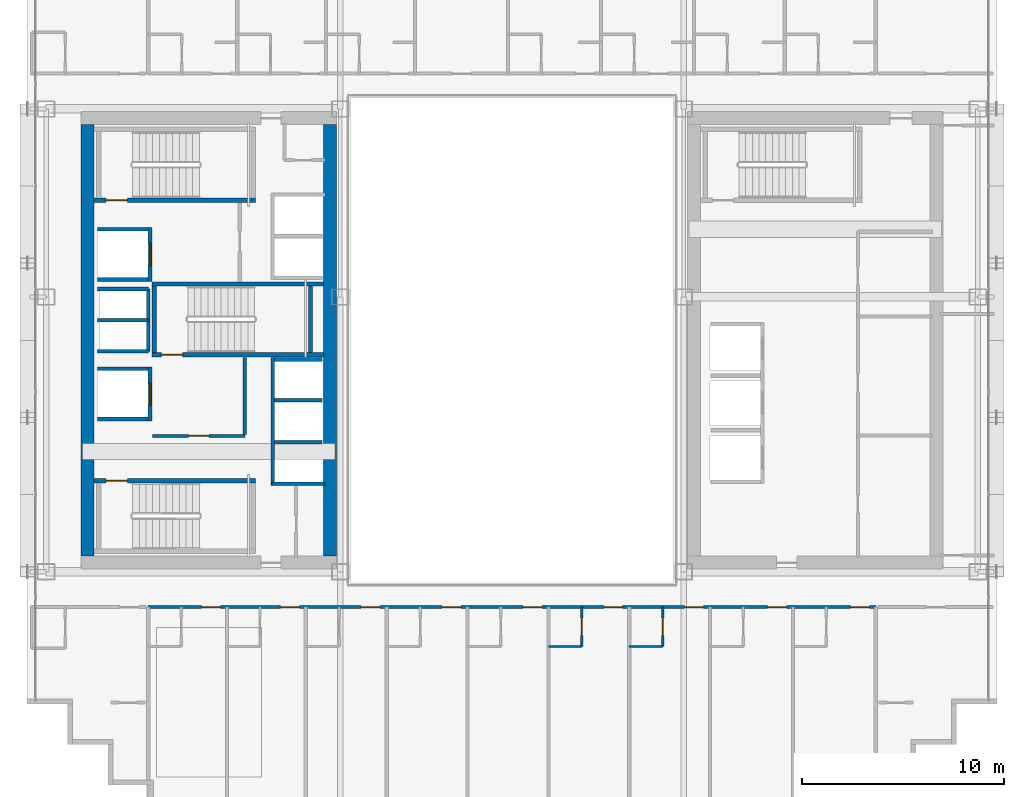
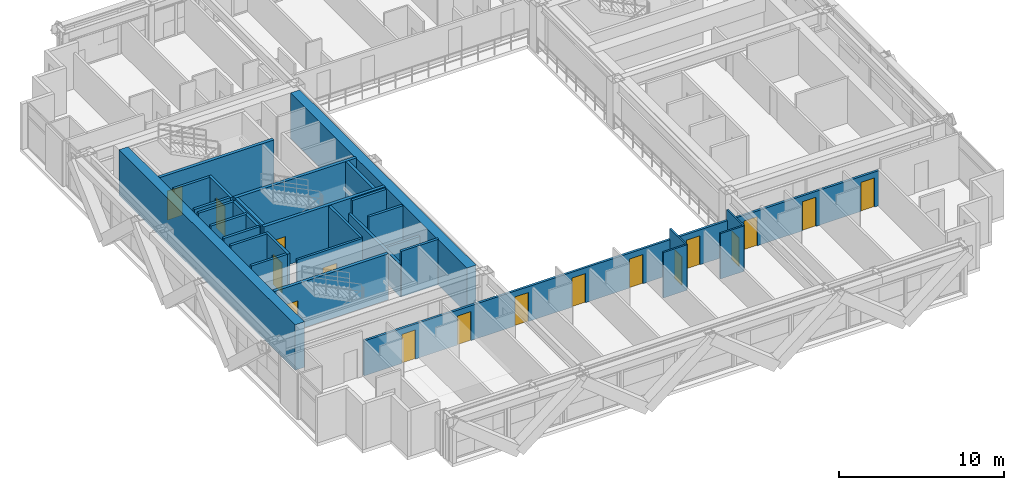
# One storey, part 28 of 36: 30 walls, 17 doors, 17 openings.
"""IFC4 building model written with IfcOpenShell, lengths in metres."""

import ifcopenshell
import ifcopenshell.guid

model = None  # the IFC model being written
_history = None  # IfcOwnerHistory: only IFC2X3 demands one
_inside = {}  # id of a spatial element -> (the spatial element, [elements in it])
_under = {}  # id of a project, library or spatial element -> (it, [spatial elements below it])
_declared = {}  # id of a project -> (the project, [libraries it declares])
_typed = {}  # id of a type object -> (the type object, [elements of that type])
_made_of = {}  # id of a material, layer set ... -> (it, [elements and type objects made of it])


def new_model(schema):
    """Start an empty IFC model of exactly this schema.

    Asked for "IFC4X3", IfcOpenShell would pick the latest addendum, in which some entities
    have other attributes; the version numbers below select the first issue.
    IFC2X3 requires an IfcOwnerHistory on every rooted entity: one is made here for all.
    """
    global model, _history
    if schema == "IFC4X3":
        model = ifcopenshell.file(schema_version=(4, 3, 0, 0))
    else:
        model = ifcopenshell.file(schema=schema)
    _inside.clear()
    _under.clear()
    _declared.clear()
    _typed.clear()
    _made_of.clear()
    _history = None
    if model.schema == "IFC2X3":
        org = make("IfcOrganization", Name="unknown")
        user = make(
            "IfcPersonAndOrganization",
            ThePerson=make("IfcPerson", FamilyName="unknown"),
            TheOrganization=org,
        )
        app = make(
            "IfcApplication",
            ApplicationDeveloper=org,
            Version="unknown",
            ApplicationFullName="unknown",
            ApplicationIdentifier="unknown",
        )
        _history = make(
            "IfcOwnerHistory",
            OwningUser=user,
            OwningApplication=app,
            ChangeAction="ADDED",
            CreationDate=0,
        )
    return model


def make(cls, **values):
    """One entity of the class cls with the attributes given. An attribute that is None is left unset."""
    return model.create_entity(
        cls, **{name: value for name, value in values.items() if value is not None}
    )


def rooted(cls, **values):
    """An entity with a GlobalId (a new one), such as an element, a storey or a relation."""
    return make(cls, GlobalId=ifcopenshell.guid.new(), OwnerHistory=_history, **values)


def si_unit(unit_type, name, prefix=None):
    """IfcSIUnit, for example si_unit("LENGTHUNIT", "METRE", prefix="MILLI")."""
    return make("IfcSIUnit", UnitType=unit_type, Prefix=prefix, Name=name)


def assignment(units):
    """IfcUnitAssignment: the units of a project."""
    return None if units is None else make("IfcUnitAssignment", Units=units)


def point(xyz):
    """IfcCartesianPoint."""
    return None if xyz is None else make("IfcCartesianPoint", Coordinates=xyz)


def direction(xyz):
    """IfcDirection."""
    return None if xyz is None else make("IfcDirection", DirectionRatios=xyz)


def frame(location, z_axis=None, x_axis=None):
    """IfcAxis2Placement3D, a coordinate frame: its origin and axes. An axis left out is left unset."""
    return make(
        "IfcAxis2Placement3D",
        Location=point(location),
        Axis=direction(z_axis),
        RefDirection=direction(x_axis),
    )


def frame_2d(location, x_axis=None):
    """IfcAxis2Placement2D, a coordinate frame in the plane: its origin and x axis."""
    return make(
        "IfcAxis2Placement2D", Location=point(location), RefDirection=direction(x_axis)
    )


def origin():
    """The frame at (0, 0, 0) with its axes left unset."""
    return frame((0.0, 0.0, 0.0))


def place(relative_to, where):
    """IfcLocalPlacement: puts the frame where relative to a parent placement (None: the world)."""
    return make(
        "IfcLocalPlacement", PlacementRelTo=relative_to, RelativePlacement=where
    )


def context(
    kind, dimensions, precision=None, world=None, true_north=None, identifier=None
):
    """IfcGeometricRepresentationContext, for example the 3D "Model" context."""
    return make(
        "IfcGeometricRepresentationContext",
        ContextIdentifier=identifier,
        ContextType=kind,
        CoordinateSpaceDimension=dimensions,
        Precision=precision,
        WorldCoordinateSystem=world,
        TrueNorth=true_north,
    )


def subcontext(parent, identifier, kind, view, scale=None):
    """IfcGeometricRepresentationSubContext, for example "Body" below "Model"."""
    return make(
        "IfcGeometricRepresentationSubContext",
        ContextIdentifier=identifier,
        ContextType=kind,
        ParentContext=parent,
        TargetScale=scale,
        TargetView=view,
    )


def project(units=None, contexts=None):
    """IfcProject with its units and contexts."""
    return rooted(
        "IfcProject",
        Name="project",
        RepresentationContexts=contexts,
        UnitsInContext=assignment(units),
    )


def spatial(cls, under=None, at=None, **own):
    """A site, building, storey or space (cls), placed at a placement, below another one or the project."""
    s = rooted(cls, ObjectPlacement=at, **own)
    if under is not None:
        _under.setdefault(under.id(), (under, []))[1].append(s)
    return s


def profile(cls, at=None, kind="AREA", **sizes):
    """A parametric profile (cls). Its sizes go by their IFC names, for example OverallWidth=200.0."""
    return make(cls, ProfileType=kind, Position=at, **sizes)


def rectangle(**sizes):
    """IfcRectangleProfileDef."""
    return profile("IfcRectangleProfileDef", **sizes)


def extrude(swept, where, along, depth):
    """IfcExtrudedAreaSolid: the profile swept, set in the frame where, extruded along a direction by depth."""
    return make(
        "IfcExtrudedAreaSolid",
        SweptArea=swept,
        Position=where,
        ExtrudedDirection=direction(along),
        Depth=depth,
    )


def shape(context_of_items, identifier, shape_type, items):
    """IfcShapeRepresentation: the items that make up one representation, for example the "Body"."""
    return make(
        "IfcShapeRepresentation",
        ContextOfItems=context_of_items,
        RepresentationIdentifier=identifier,
        RepresentationType=shape_type,
        Items=items,
    )


def source(mapping_origin, context_of_items, identifier, shape_type, items):
    """IfcRepresentationMap: a shape defined once, which mapped items show again and again."""
    return make(
        "IfcRepresentationMap",
        MappingOrigin=mapping_origin,
        MappedRepresentation=shape(context_of_items, identifier, shape_type, items),
    )


def transform(
    local_origin,
    x_axis=None,
    y_axis=None,
    z_axis=None,
    scale=None,
    scale2=None,
    scale3=None,
    uniform=True,
):
    """IfcCartesianTransformationOperator3D, or its non-uniform kind. x_axis, y_axis, z_axis: its Axis1, 2, 3."""
    if uniform:
        return make(
            "IfcCartesianTransformationOperator3D",
            Axis1=direction(x_axis),
            Axis2=direction(y_axis),
            LocalOrigin=point(local_origin),
            Scale=scale,
            Axis3=direction(z_axis),
        )
    return make(
        "IfcCartesianTransformationOperator3DnonUniform",
        Axis1=direction(x_axis),
        Axis2=direction(y_axis),
        LocalOrigin=point(local_origin),
        Scale=scale,
        Axis3=direction(z_axis),
        Scale2=scale2,
        Scale3=scale3,
    )


def mapped(mapping_source, mapping_target):
    """IfcMappedItem: shows the shape of a source again, moved by a transform."""
    return make(
        "IfcMappedItem", MappingSource=mapping_source, MappingTarget=mapping_target
    )


def material(Name=None, Category=None):
    """IfcMaterial."""
    return make("IfcMaterial", Name=Name, Category=Category)


def layer(
    of_material, thickness, ventilated=None, Name=None, Category=None, Priority=None
):
    """IfcMaterialLayer: one layer of a wall or slab, of a material (None: an air gap)."""
    return make(
        "IfcMaterialLayer",
        Material=of_material,
        LayerThickness=thickness,
        IsVentilated=ventilated,
        Name=Name,
        Category=Category,
        Priority=Priority,
    )


def layer_set(layers, Name=None):
    """IfcMaterialLayerSet."""
    return make("IfcMaterialLayerSet", MaterialLayers=layers, LayerSetName=Name)


def made_of(thing, what):
    """Note that an element or type object is made of a material, layer set ...; save() writes the relation."""
    if what is not None:
        _made_of.setdefault(what.id(), (what, []))[1].append(thing)
    return thing


def type_object(cls, material=None, **own):
    """A type object (cls), such as IfcWallType, which elements share."""
    return made_of(rooted(cls, **own), material)


def element(
    cls,
    number,
    at=None,
    inside=None,
    cuts=None,
    type_object=None,
    material=None,
    context=None,
    identifier="Body",
    shape_type=None,
    held_by="IfcProductDefinitionShape",
    body=None,
    shapes=None,
    **own,
):
    """One element of the class cls, such as IfcWall. Its Tag is "e" and its number.

    at: its placement. inside: the storey or other place that contains it. cuts: it is an
    opening in that element (IfcRelVoidsElement). A single representation is given by context,
    identifier, shape_type and body (its items); several are given by shapes. held_by: the class
    of the entity that holds the representations. save() writes the other relations.
    """
    e = rooted(cls, Tag="e%d" % number, ObjectPlacement=at, **own)
    if body is not None:
        shapes = [shape(context, identifier, shape_type, body)]
    if shapes is not None:
        e.Representation = make(held_by, Representations=shapes)
    if inside is not None:
        _inside.setdefault(inside.id(), (inside, []))[1].append(e)
    if cuts is not None:
        rooted(
            "IfcRelVoidsElement", RelatingBuildingElement=cuts, RelatedOpeningElement=e
        )
    if type_object is not None:
        _typed.setdefault(type_object.id(), (type_object, []))[1].append(e)
    return made_of(e, material)


def fill(opening, filler):
    """IfcRelFillsElement: the door or window that sits in an opening."""
    return rooted(
        "IfcRelFillsElement",
        RelatingOpeningElement=opening,
        RelatedBuildingElement=filler,
    )


def aggregate(whole, parts):
    """IfcRelAggregates: a whole, such as a stair, and the parts it consists of."""
    return rooted("IfcRelAggregates", RelatingObject=whole, RelatedObjects=parts)


def save(model, path):
    """Write the relations noted so far, then the file.

    IfcRelAggregates (storeys below a building ...), IfcRelContainedInSpatialStructure (elements
    in a storey), IfcRelDefinesByType, IfcRelAssociatesMaterial and IfcRelDeclares: one each for
    every whole, place, type object, material and project.
    """
    for whole, parts in _under.values():
        aggregate(whole, parts)
    for where, things in _inside.values():
        rooted(
            "IfcRelContainedInSpatialStructure",
            RelatedElements=things,
            RelatingStructure=where,
        )
    for kind, things in _typed.values():
        rooted("IfcRelDefinesByType", RelatedObjects=things, RelatingType=kind)
    for what, things in _made_of.values():
        rooted("IfcRelAssociatesMaterial", RelatedObjects=things, RelatingMaterial=what)
    for by, libraries in _declared.values():
        rooted("IfcRelDeclares", RelatingContext=by, RelatedDefinitions=libraries)
    model.write(path)


model = new_model("IFC4")

# Units and contexts
model_context = context("Model", 3, precision=1e-05, world=origin(), true_north=direction((0.0, 1.0)))
body_context = subcontext(model_context, "Body", "Model", "MODEL_VIEW")
ifc_project = project(units=[si_unit("LENGTHUNIT", "METRE"), si_unit("AREAUNIT", "SQUARE_METRE"), si_unit("VOLUMEUNIT", "CUBIC_METRE"), si_unit("PLANEANGLEUNIT", "RADIAN"), si_unit("MASSUNIT", "GRAM", prefix="KILO")], contexts=[model_context])

# Site, building, storey
site_placement = place(None, origin())
site = spatial("IfcSite", under=ifc_project, at=site_placement, CompositionType="ELEMENT")
building_placement = place(site_placement, origin())
building = spatial("IfcBuilding", under=site, at=building_placement, Name="Ocotamira Hotel", CompositionType="ELEMENT")
storey_placement = place(building_placement, frame((0.0, 0.0, 136.800048828125)))
storey = spatial("IfcBuildingStorey", under=building, at=storey_placement, Name="L34", CompositionType="ELEMENT", Elevation=136.800048828125)

# Walls
ifc_material_1 = material(Name="Concrete C60/75", Category="concrete")
ifc_layer_1 = layer(ifc_material_1, 0.64990234375)
ifc_layer_set_1 = layer_set([ifc_layer_1], Name="Concrete C60/75")
wall_type_1 = type_object("IfcWallType", Name="WL-CORE-650", PredefinedType="SHEAR", material=ifc_layer_set_1)
for number, where, z_axis, x_axis, name in (
    (1, (11.0, 15.324951171875, 0.0), (0.0, 0.0, 1.0), (0.0, 1.0, 0.0), "L34 Shear Core Wall WCORE-W"),
    (2, (23.0, 15.324951171875, 0.0), (0.0, 0.0, 1.0), (0.0, 1.0, 0.0), "L34 Shear Core Wall WCORE-E"),
):
    element("IfcWall", number, at=place(storey_placement, frame(where, z_axis=z_axis, x_axis=x_axis)), inside=storey, type_object=wall_type_1, Name=name, PredefinedType="SHEAR", context=body_context, shape_type="SweptSolid", body=[
        extrude(rectangle(XDim=21.35009765625, YDim=0.64990234375, at=frame_2d((10.675048828125, 0.0))), origin(), (0.0, 0.0, 1.0), 3.35986328125),
    ])

# Wall, opening, door
ifc_material_2 = material(Name="Acoustic double-layer fire gypsum board partition", Category="gypsum")
ifc_layer_2 = layer(ifc_material_2, 0.159912109375)
ifc_layer_set_2 = layer_set([ifc_layer_2], Name="Acoustic double-layer fire gypsum board partition")
wall_type_2 = type_object("IfcWallType", Name="WL-FIRE-160", PredefinedType="PARTITIONING", material=ifc_layer_set_2)
wall_1_placement = place(storey_placement, frame((14.199951171875, 21.27001953125, 0.0), z_axis=(0.0, 0.0, 1.0), x_axis=(1.0, 0.0, 0.0)))
wall_1 = element("IfcWall", 3, at=wall_1_placement, inside=storey, type_object=wall_type_2, Name="L34 Interior Wall PW-L34-FSAE1-S", PredefinedType="PARTITIONING", context=body_context, shape_type="SweptSolid", body=[
    extrude(rectangle(XDim=4.580078125, YDim=0.159912109375, at=frame_2d((2.2900390625, 0.0))), origin(), (0.0, 0.0, 1.0), 3.35986328125),
])
opening_1_placement = place(wall_1_placement, frame((1.800048828125, 0.0, 0.0)))
opening_1 = element("IfcOpeningElement", 4, at=opening_1_placement, cuts=wall_1, Name="Opening D-FR2", PredefinedType="OPENING", context=body_context, shape_type="SweptSolid", body=[
    extrude(rectangle(XDim=1.0, YDim=2.14990234375, at=frame_2d((0.5, 1.074951171875))), frame((0.0, 0.08984375, 0.0), z_axis=(0.0, -1.0, 0.0), x_axis=(1.0, 0.0, 0.0)), (0.0, 0.0, 1.0), 0.179931640625),
])
ifc_material_3 = material(Name="Fire-rated acoustic timber-veneer door", Category="wood")
door_type_1 = type_object("IfcDoorType", Name="DR-FIRE-1000", OperationType="NOTDEFINED", PredefinedType="DOOR", material=ifc_material_3)
shared_shape_1 = source(origin(), body_context, "Body", "SweptSolid", [
    extrude(rectangle(XDim=1.0, YDim=2.14990234375, at=frame_2d((0.5, 1.074951171875))), frame((0.0, 0.02490234375, 0.0), z_axis=(0.0, -1.0, 0.0), x_axis=(1.0, 0.0, 0.0)), (0.0, 0.0, 1.0), 0.050048828125),
])
door_1_placement = place(opening_1_placement, origin())
door_1 = element("IfcDoor", 5, at=door_1_placement, inside=storey, type_object=door_type_1, Name="L34 Door ID-L34-FSAE1-D [ID-L34-FSAE1-D]", OperationType="SINGLE_SWING_LEFT", OverallHeight=2.14990234375, OverallWidth=1.0, PredefinedType="DOOR", context=body_context, shape_type="MappedRepresentation", body=[
    mapped(shared_shape_1, transform((0.0, 0.0, 0.0), scale=1.0)),
])
fill(opening_1, door_1)

# Wall
wall_2_placement = place(storey_placement, frame((18.780029296875, 21.35009765625, 0.0), z_axis=(0.0, 0.0, 1.0), x_axis=(0.0, 1.0, 0.0)))
element("IfcWall", 6, at=wall_2_placement, inside=storey, type_object=wall_type_2, Name="L34 Interior Wall PW-L34-FSAE1-E", PredefinedType="PARTITIONING", context=body_context, shape_type="SweptSolid", body=[
    extrude(rectangle(XDim=3.809814453125, YDim=0.159912109375, at=frame_2d((1.90478515625, 0.0))), origin(), (0.0, 0.0, 1.0), 3.35986328125),
])

# Wall, openings, doors
wall_3_placement = place(storey_placement, frame((14.0, 12.800048828125, 0.0), z_axis=(0.0, 0.0, 1.0), x_axis=(1.0, 0.0, 0.0)))
wall_3 = element("IfcWall", 7, at=wall_3_placement, inside=storey, type_object=wall_type_2, Name="L34 Interior Wall PW-L34-Z2DS-CORRW", PredefinedType="PARTITIONING", context=body_context, shape_type="SweptSolid", body=[
    extrude(rectangle(XDim=36.0, YDim=0.159912109375, at=frame_2d((18.0, 0.0))), origin(), (0.0, 0.0, 1.0), 2.5810546875),
])
opening_2_placement = place(wall_3_placement, frame((2.639892578125, 0.0, 0.0)))
opening_2 = element("IfcOpeningElement", 8, at=opening_2_placement, cuts=wall_3, Name="Opening D-GR1", PredefinedType="OPENING", context=body_context, shape_type="SweptSolid", body=[
    extrude(rectangle(XDim=0.93994140625, YDim=2.14990234375, at=frame_2d((0.469970703125, 1.074951171875))), frame((0.0, 0.08984375, 0.0), z_axis=(0.0, -1.0, 0.0), x_axis=(1.0, 0.0, 0.0)), (0.0, 0.0, 1.0), 0.179931640625),
])
opening_3_placement = place(wall_3_placement, frame((6.5400390625, 0.0, 0.0)))
opening_3 = element("IfcOpeningElement", 9, at=opening_3_placement, cuts=wall_3, Name="Opening D-GR1", PredefinedType="OPENING", context=body_context, shape_type="SweptSolid", body=[
    extrude(rectangle(XDim=0.93994140625, YDim=2.14990234375, at=frame_2d((0.469970703125, 1.074951171875))), frame((0.0, 0.08984375, 0.0), z_axis=(0.0, -1.0, 0.0), x_axis=(1.0, 0.0, 0.0)), (0.0, 0.0, 1.0), 0.179931640625),
])
opening_4_placement = place(wall_3_placement, frame((10.5400390625, 0.0, 0.0)))
opening_4 = element("IfcOpeningElement", 10, at=opening_4_placement, cuts=wall_3, Name="Opening D-GR1", PredefinedType="OPENING", context=body_context, shape_type="SweptSolid", body=[
    extrude(rectangle(XDim=0.93994140625, YDim=2.14990234375, at=frame_2d((0.469970703125, 1.074951171875))), frame((0.0, 0.08984375, 0.0), z_axis=(0.0, -1.0, 0.0), x_axis=(1.0, 0.0, 0.0)), (0.0, 0.0, 1.0), 0.179931640625),
])
opening_5_placement = place(wall_3_placement, frame((14.5400390625, 0.0, 0.0)))
opening_5 = element("IfcOpeningElement", 11, at=opening_5_placement, cuts=wall_3, Name="Opening D-GR1", PredefinedType="OPENING", context=body_context, shape_type="SweptSolid", body=[
    extrude(rectangle(XDim=0.93994140625, YDim=2.14990234375, at=frame_2d((0.469970703125, 1.074951171875))), frame((0.0, 0.08984375, 0.0), z_axis=(0.0, -1.0, 0.0), x_axis=(1.0, 0.0, 0.0)), (0.0, 0.0, 1.0), 0.179931640625),
])
opening_6_placement = place(wall_3_placement, frame((18.5400390625, 0.0, 0.0)))
opening_6 = element("IfcOpeningElement", 12, at=opening_6_placement, cuts=wall_3, Name="Opening D-GR1", PredefinedType="OPENING", context=body_context, shape_type="SweptSolid", body=[
    extrude(rectangle(XDim=0.93994140625, YDim=2.14990234375, at=frame_2d((0.469970703125, 1.074951171875))), frame((0.0, 0.08984375, 0.0), z_axis=(0.0, -1.0, 0.0), x_axis=(1.0, 0.0, 0.0)), (0.0, 0.0, 1.0), 0.179931640625),
])
opening_7_placement = place(wall_3_placement, frame((22.5400390625, 0.0, 0.0)))
opening_7 = element("IfcOpeningElement", 13, at=opening_7_placement, cuts=wall_3, Name="Opening D-GR1", PredefinedType="OPENING", context=body_context, shape_type="SweptSolid", body=[
    extrude(rectangle(XDim=0.93994140625, YDim=2.14990234375, at=frame_2d((0.469970703125, 1.074951171875))), frame((0.0, 0.08984375, 0.0), z_axis=(0.0, -1.0, 0.0), x_axis=(1.0, 0.0, 0.0)), (0.0, 0.0, 1.0), 0.179931640625),
])
opening_8_placement = place(wall_3_placement, frame((26.5400390625, 0.0, 0.0)))
opening_8 = element("IfcOpeningElement", 14, at=opening_8_placement, cuts=wall_3, Name="Opening D-GR1", PredefinedType="OPENING", context=body_context, shape_type="SweptSolid", body=[
    extrude(rectangle(XDim=0.93994140625, YDim=2.14990234375, at=frame_2d((0.469970703125, 1.074951171875))), frame((0.0, 0.08984375, 0.0), z_axis=(0.0, -1.0, 0.0), x_axis=(1.0, 0.0, 0.0)), (0.0, 0.0, 1.0), 0.179931640625),
])
opening_9_placement = place(wall_3_placement, frame((30.639892578125, 0.0, 0.0)))
opening_9 = element("IfcOpeningElement", 15, at=opening_9_placement, cuts=wall_3, Name="Opening D-GR1", PredefinedType="OPENING", context=body_context, shape_type="SweptSolid", body=[
    extrude(rectangle(XDim=0.93994140625, YDim=2.14990234375, at=frame_2d((0.469970703125, 1.074951171875))), frame((0.0, 0.08984375, 0.0), z_axis=(0.0, -1.0, 0.0), x_axis=(1.0, 0.0, 0.0)), (0.0, 0.0, 1.0), 0.179931640625),
])
opening_10_placement = place(wall_3_placement, frame((34.739990234375, 0.0, 0.0)))
opening_10 = element("IfcOpeningElement", 16, at=opening_10_placement, cuts=wall_3, Name="Opening D-GR1", PredefinedType="OPENING", context=body_context, shape_type="SweptSolid", body=[
    extrude(rectangle(XDim=0.93994140625, YDim=2.14990234375, at=frame_2d((0.469970703125, 1.074951171875))), frame((0.0, 0.08984375, 0.0), z_axis=(0.0, -1.0, 0.0), x_axis=(1.0, 0.0, 0.0)), (0.0, 0.0, 1.0), 0.179931640625),
])
ifc_material_4 = material(Name="Solid-core walnut suite entrance fire door", Category="wood")
door_type_2 = type_object("IfcDoorType", Name="DR-GUEST-940", OperationType="NOTDEFINED", PredefinedType="DOOR", material=ifc_material_4)
shared_shape_2 = source(origin(), body_context, "Body", "SweptSolid", [
    extrude(rectangle(XDim=0.93994140625, YDim=2.14990234375, at=frame_2d((0.469970703125, 1.074951171875))), frame((0.0, 0.02490234375, 0.0), z_axis=(0.0, -1.0, 0.0), x_axis=(1.0, 0.0, 0.0)), (0.0, 0.0, 1.0), 0.050048828125),
])
door_2_placement = place(opening_2_placement, origin())
door_2 = element("IfcDoor", 17, at=door_2_placement, inside=storey, type_object=door_type_2, Name="L34 Door ID-L34-Z2DS-RMD1 [ID-L34-Z2DS-RMD1]", OperationType="SINGLE_SWING_LEFT", OverallHeight=2.14990234375, OverallWidth=0.93994140625, PredefinedType="DOOR", context=body_context, shape_type="MappedRepresentation", body=[
    mapped(shared_shape_2, transform((0.0, 0.0, 0.0), scale=1.0)),
])
fill(opening_2, door_2)
door_3_placement = place(opening_3_placement, origin())
door_3 = element("IfcDoor", 18, at=door_3_placement, inside=storey, type_object=door_type_2, Name="L34 Door ID-L34-Z2DS-RMD2 [ID-L34-Z2DS-RMD2]", OperationType="SINGLE_SWING_RIGHT", OverallHeight=2.14990234375, OverallWidth=0.93994140625, PredefinedType="DOOR", context=body_context, shape_type="MappedRepresentation", body=[
    mapped(shared_shape_2, transform((0.0, 0.0, 0.0), scale=1.0)),
])
fill(opening_3, door_3)
door_4_placement = place(opening_4_placement, origin())
door_4 = element("IfcDoor", 19, at=door_4_placement, inside=storey, type_object=door_type_2, Name="L34 Door ID-L34-Z2DS-RMD3 [ID-L34-Z2DS-RMD3]", OperationType="SINGLE_SWING_LEFT", OverallHeight=2.14990234375, OverallWidth=0.93994140625, PredefinedType="DOOR", context=body_context, shape_type="MappedRepresentation", body=[
    mapped(shared_shape_2, transform((0.0, 0.0, 0.0), scale=1.0)),
])
fill(opening_4, door_4)
door_5_placement = place(opening_5_placement, origin())
door_5 = element("IfcDoor", 20, at=door_5_placement, inside=storey, type_object=door_type_2, Name="L34 Door ID-L34-Z2DS-RMD4 [ID-L34-Z2DS-RMD4]", OperationType="SINGLE_SWING_RIGHT", OverallHeight=2.14990234375, OverallWidth=0.93994140625, PredefinedType="DOOR", context=body_context, shape_type="MappedRepresentation", body=[
    mapped(shared_shape_2, transform((0.0, 0.0, 0.0), scale=1.0)),
])
fill(opening_5, door_5)
door_6_placement = place(opening_6_placement, origin())
door_6 = element("IfcDoor", 21, at=door_6_placement, inside=storey, type_object=door_type_2, Name="L34 Door ID-L34-Z2DS-RMD5 [ID-L34-Z2DS-RMD5]", OperationType="SINGLE_SWING_LEFT", OverallHeight=2.14990234375, OverallWidth=0.93994140625, PredefinedType="DOOR", context=body_context, shape_type="MappedRepresentation", body=[
    mapped(shared_shape_2, transform((0.0, 0.0, 0.0), scale=1.0)),
])
fill(opening_6, door_6)
door_7_placement = place(opening_7_placement, origin())
door_7 = element("IfcDoor", 22, at=door_7_placement, inside=storey, type_object=door_type_2, Name="L34 Door ID-L34-Z2DS-RMD6 [ID-L34-Z2DS-RMD6]", OperationType="SINGLE_SWING_RIGHT", OverallHeight=2.14990234375, OverallWidth=0.93994140625, PredefinedType="DOOR", context=body_context, shape_type="MappedRepresentation", body=[
    mapped(shared_shape_2, transform((0.0, 0.0, 0.0), scale=1.0)),
])
fill(opening_7, door_7)
door_8_placement = place(opening_8_placement, origin())
door_8 = element("IfcDoor", 23, at=door_8_placement, inside=storey, type_object=door_type_2, Name="L34 Door ID-L34-Z2DS-RMD7 [ID-L34-Z2DS-RMD7]", OperationType="SINGLE_SWING_LEFT", OverallHeight=2.14990234375, OverallWidth=0.93994140625, PredefinedType="DOOR", context=body_context, shape_type="MappedRepresentation", body=[
    mapped(shared_shape_2, transform((0.0, 0.0, 0.0), scale=1.0)),
])
fill(opening_8, door_8)
door_9_placement = place(opening_9_placement, origin())
door_9 = element("IfcDoor", 24, at=door_9_placement, inside=storey, type_object=door_type_2, Name="L34 Door ID-L34-Z2DS-RMD8 [ID-L34-Z2DS-RMD8]", OperationType="SINGLE_SWING_RIGHT", OverallHeight=2.14990234375, OverallWidth=0.93994140625, PredefinedType="DOOR", context=body_context, shape_type="MappedRepresentation", body=[
    mapped(shared_shape_2, transform((0.0, 0.0, 0.0), scale=1.0)),
])
fill(opening_9, door_9)
door_10_placement = place(opening_10_placement, origin())
door_10 = element("IfcDoor", 25, at=door_10_placement, inside=storey, type_object=door_type_2, Name="L34 Door ID-L34-Z2DS-RMD9 [ID-L34-Z2DS-RMD9]", OperationType="SINGLE_SWING_LEFT", OverallHeight=2.14990234375, OverallWidth=0.93994140625, PredefinedType="DOOR", context=body_context, shape_type="MappedRepresentation", body=[
    mapped(shared_shape_2, transform((0.0, 0.0, 0.0), scale=1.0)),
])
fill(opening_10, door_10)

# Wall, opening, door
ifc_material_5 = material(Name="Moisture-resistant en-suite tile and gypsum partition", Category="gypsum")
ifc_layer_3 = layer(ifc_material_5, 0.1201171875)
ifc_layer_set_3 = layer_set([ifc_layer_3], Name="Moisture-resistant en-suite tile and gypsum partition")
wall_type_3 = type_object("IfcWallType", Name="WL-PART-120", PredefinedType="PARTITIONING", material=ifc_layer_set_3)
wall_4_placement = place(storey_placement, frame((35.449951171875, 10.85009765625, 0.0), z_axis=(0.0, 0.0, 1.0), x_axis=(0.0, 1.0, 0.0)))
wall_4 = element("IfcWall", 26, at=wall_4_placement, inside=storey, type_object=wall_type_3, Name="L34 Interior Wall PW-L34-Z2DS-BAE6", PredefinedType="PARTITIONING", context=body_context, shape_type="SweptSolid", body=[
    extrude(rectangle(XDim=1.949951171875, YDim=0.1201171875, at=frame_2d((0.97509765625, 0.0))), origin(), (0.0, 0.0, 1.0), 3.35986328125),
])
opening_11_placement = place(wall_4_placement, frame((0.544921875, 0.0, 0.0)))
opening_11 = element("IfcOpeningElement", 27, at=opening_11_placement, cuts=wall_4, Name="Opening D-BA1", PredefinedType="OPENING", context=body_context, shape_type="SweptSolid", body=[
    extrude(rectangle(XDim=0.860107421875, YDim=2.10009765625, at=frame_2d((0.43017578125, 1.050048828125))), frame((0.0, 0.070068359375, 0.0), z_axis=(0.0, -1.0, 0.0), x_axis=(1.0, 0.0, 0.0)), (0.0, 0.0, 1.0), 0.14013671875),
])
ifc_material_6 = material(Name="Moisture-sealed en-suite timber door", Category="wood")
door_type_3 = type_object("IfcDoorType", Name="DR-BATH-860", OperationType="NOTDEFINED", PredefinedType="DOOR", material=ifc_material_6)
shared_shape_3 = source(origin(), body_context, "Body", "SweptSolid", [
    extrude(rectangle(XDim=0.860107421875, YDim=2.10009765625, at=frame_2d((0.43017578125, 1.050048828125))), frame((0.0, 0.02490234375, 0.0), z_axis=(0.0, -1.0, 0.0), x_axis=(1.0, 0.0, 0.0)), (0.0, 0.0, 1.0), 0.050048828125),
])
door_11_placement = place(opening_11_placement, origin())
door_11 = element("IfcDoor", 28, at=door_11_placement, inside=storey, type_object=door_type_3, Name="L34 Door ID-L34-Z2DS-BAD6 [ID-L34-Z2DS-BAD6]", OperationType="SINGLE_SWING_LEFT", OverallHeight=2.10009765625, OverallWidth=0.860107421875, PredefinedType="DOOR", context=body_context, shape_type="MappedRepresentation", body=[
    mapped(shared_shape_3, transform((0.0, 0.0, 0.0), scale=1.0)),
])
fill(opening_11, door_11)

# Wall
wall_5_placement = place(storey_placement, frame((33.800048828125, 10.85009765625, 0.0), z_axis=(0.0, 0.0, 1.0), x_axis=(1.0, 0.0, 0.0)))
element("IfcWall", 29, at=wall_5_placement, inside=storey, type_object=wall_type_3, Name="L34 Interior Wall PW-L34-Z2DS-BAS6", PredefinedType="PARTITIONING", context=body_context, shape_type="SweptSolid", body=[
    extrude(rectangle(XDim=1.64990234375, YDim=0.1201171875, at=frame_2d((0.824951171875, 0.0))), origin(), (0.0, 0.0, 1.0), 3.35986328125),
])

# Wall, opening, door
wall_6_placement = place(storey_placement, frame((39.449951171875, 10.85009765625, 0.0), z_axis=(0.0, 0.0, 1.0), x_axis=(0.0, 1.0, 0.0)))
wall_6 = element("IfcWall", 30, at=wall_6_placement, inside=storey, type_object=wall_type_3, Name="L34 Interior Wall PW-L34-Z2DS-BAE7", PredefinedType="PARTITIONING", context=body_context, shape_type="SweptSolid", body=[
    extrude(rectangle(XDim=1.949951171875, YDim=0.1201171875, at=frame_2d((0.97509765625, 0.0))), origin(), (0.0, 0.0, 1.0), 3.35986328125),
])
opening_12_placement = place(wall_6_placement, frame((0.544921875, 0.0, 0.0)))
opening_12 = element("IfcOpeningElement", 31, at=opening_12_placement, cuts=wall_6, Name="Opening D-BA1", PredefinedType="OPENING", context=body_context, shape_type="SweptSolid", body=[
    extrude(rectangle(XDim=0.860107421875, YDim=2.10009765625, at=frame_2d((0.43017578125, 1.050048828125))), frame((0.0, 0.070068359375, 0.0), z_axis=(0.0, -1.0, 0.0), x_axis=(1.0, 0.0, 0.0)), (0.0, 0.0, 1.0), 0.14013671875),
])
door_12_placement = place(opening_12_placement, origin())
door_12 = element("IfcDoor", 32, at=door_12_placement, inside=storey, type_object=door_type_3, Name="L34 Door ID-L34-Z2DS-BAD7 [ID-L34-Z2DS-BAD7]", OperationType="SINGLE_SWING_RIGHT", OverallHeight=2.10009765625, OverallWidth=0.860107421875, PredefinedType="DOOR", context=body_context, shape_type="MappedRepresentation", body=[
    mapped(shared_shape_3, transform((0.0, 0.0, 0.0), scale=1.0)),
])
fill(opening_12, door_12)

# Walls
wall_7_placement = place(storey_placement, frame((37.800048828125, 10.85009765625, 0.0), z_axis=(0.0, 0.0, 1.0), x_axis=(1.0, 0.0, 0.0)))
element("IfcWall", 33, at=wall_7_placement, inside=storey, type_object=wall_type_3, Name="L34 Interior Wall PW-L34-Z2DS-BAS7", PredefinedType="PARTITIONING", context=body_context, shape_type="SweptSolid", body=[
    extrude(rectangle(XDim=1.64990234375, YDim=0.1201171875, at=frame_2d((0.824951171875, 0.0))), origin(), (0.0, 0.0, 1.0), 3.35986328125),
])
ifc_material_7 = material(Name="Fire-rated gypsum shaftliner board assembly", Category="gypsum")
ifc_layer_4 = layer(ifc_material_7, 0.179931640625)
ifc_layer_set_4 = layer_set([ifc_layer_4], Name="Fire-rated gypsum shaftliner board assembly")
wall_type_4 = type_object("IfcWallType", Name="WL-SHAFT-180", PredefinedType="SOLIDWALL", material=ifc_layer_set_4)
wall_8_placement = place(storey_placement, frame((20.159912109375, 18.820068359375, 0.0), z_axis=(0.0, 0.0, 1.0), x_axis=(0.0, 1.0, 0.0)))
element("IfcWall", 34, at=wall_8_placement, inside=storey, type_object=wall_type_4, Name="L34 Interior Wall PW-L34-LFW-BANK-high-F", PredefinedType="SOLIDWALL", context=body_context, shape_type="SweptSolid", body=[
    extrude(rectangle(XDim=6.31982421875, YDim=0.179931640625, at=frame_2d((3.159912109375, 0.0))), origin(), (0.0, 0.0, 1.0), 2.35986328125),
])
wall_9_placement = place(storey_placement, frame((20.1201171875, 18.909912109375, 0.0), z_axis=(0.0, 0.0, 1.0), x_axis=(1.0, 0.0, 0.0)))
element("IfcWall", 35, at=wall_9_placement, inside=storey, type_object=wall_type_4, Name="L34 Interior Wall PW-L34-LFW-BANK-high-S", PredefinedType="SOLIDWALL", context=body_context, shape_type="SweptSolid", body=[
    extrude(rectangle(XDim=2.6298828125, YDim=0.179931640625, at=frame_2d((1.31494140625, 0.0))), origin(), (0.0, 0.0, 1.0), 3.35986328125),
])
wall_10_placement = place(storey_placement, frame((20.25, 25.050048828125, 0.0), z_axis=(0.0, 0.0, 1.0), x_axis=(1.0, 0.0, 0.0)))
element("IfcWall", 36, at=wall_10_placement, inside=storey, type_object=wall_type_4, Name="L34 Interior Wall PW-L34-LFW-BANK-high-N", PredefinedType="SOLIDWALL", context=body_context, shape_type="SweptSolid", body=[
    extrude(rectangle(XDim=2.360107421875, YDim=0.179931640625, at=frame_2d((1.18017578125, 0.0))), origin(), (0.0, 0.0, 1.0), 3.35986328125),
])
wall_11_placement = place(storey_placement, frame((20.25, 20.965087890625, 0.0), z_axis=(0.0, 0.0, 1.0), x_axis=(1.0, 0.0, 0.0)))
element("IfcWall", 37, at=wall_11_placement, inside=storey, type_object=wall_type_4, Name="L34 Interior Wall PW-L34-LFW-DIV-LF-P7", PredefinedType="SOLIDWALL", context=body_context, shape_type="SweptSolid", body=[
    extrude(rectangle(XDim=2.360107421875, YDim=0.179931640625, at=frame_2d((1.18017578125, 0.0))), origin(), (0.0, 0.0, 1.0), 2.35986328125),
])
wall_12_placement = place(storey_placement, frame((20.25, 23.044921875, 0.0), z_axis=(0.0, 0.0, 1.0), x_axis=(1.0, 0.0, 0.0)))
element("IfcWall", 38, at=wall_12_placement, inside=storey, type_object=wall_type_4, Name="L34 Interior Wall PW-L34-LFW-DIV-LF-P8", PredefinedType="SOLIDWALL", context=body_context, shape_type="SweptSolid", body=[
    extrude(rectangle(XDim=2.360107421875, YDim=0.179931640625, at=frame_2d((1.18017578125, 0.0))), origin(), (0.0, 0.0, 1.0), 3.35986328125),
])
for number, where, z_axis, x_axis, name in (
    (39, (11.5, 22.110107421875, 0.0), (0.0, 0.0, 1.0), (1.0, 0.0, 0.0), "L34 Interior Wall PW-L34-LFW-LF-FSAE1-S"),
    (40, (11.5, 24.590087890625, 0.0), (0.0, 0.0, 1.0), (1.0, 0.0, 0.0), "L34 Interior Wall PW-L34-LFW-LF-FSAE1-N"),
):
    element("IfcWall", number, at=place(storey_placement, frame(where, z_axis=z_axis, x_axis=x_axis)), inside=storey, type_object=wall_type_4, Name=name, PredefinedType="SOLIDWALL", context=body_context, shape_type="SweptSolid", body=[
        extrude(rectangle(XDim=2.5, YDim=0.179931640625, at=frame_2d((1.25, 0.0))), origin(), (0.0, 0.0, 1.0), 3.35986328125),
    ])

# Wall, opening, door
wall_13_placement = place(storey_placement, frame((14.090087890625, 22.02001953125, 0.0), z_axis=(0.0, 0.0, 1.0), x_axis=(0.0, 1.0, 0.0)))
wall_13 = element("IfcWall", 41, at=wall_13_placement, inside=storey, type_object=wall_type_4, Name="L34 Interior Wall PW-L34-LFW-LF-FSAE1-E", PredefinedType="SOLIDWALL", context=body_context, shape_type="SweptSolid", body=[
    extrude(rectangle(XDim=2.659912109375, YDim=0.179931640625, at=frame_2d((1.330078125, 0.0))), origin(), (0.0, 0.0, 1.0), 3.35986328125),
])
opening_13_placement = place(wall_13_placement, frame((0.780029296875, 0.0, 0.0)))
opening_13 = element("IfcOpeningElement", 42, at=opening_13_placement, cuts=wall_13, Name="Opening LD-LF-FSAE1", PredefinedType="OPENING", context=body_context, shape_type="SweptSolid", body=[
    extrude(rectangle(XDim=1.10009765625, YDim=2.199951171875, at=frame_2d((0.550048828125, 1.10009765625))), frame((0.0, 0.10009765625, 0.0), z_axis=(0.0, -1.0, 0.0), x_axis=(1.0, 0.0, 0.0)), (0.0, 0.0, 1.0), 0.199951171875),
])
ifc_material_8 = material(Name="Brushed pale-metal stainless elevator landing door", Category="steel")
door_type_4 = type_object("IfcDoorType", Name="DR-LIFT-1100", OperationType="NOTDEFINED", PredefinedType="DOOR", material=ifc_material_8)
shared_shape_4 = source(origin(), body_context, "Body", "SweptSolid", [
    extrude(rectangle(XDim=1.10009765625, YDim=2.199951171875, at=frame_2d((0.550048828125, 1.10009765625))), frame((0.0, 0.02490234375, 0.0), z_axis=(0.0, -1.0, 0.0), x_axis=(1.0, 0.0, 0.0)), (0.0, 0.0, 1.0), 0.050048828125),
])
door_13_placement = place(opening_13_placement, origin())
door_13 = element("IfcDoor", 43, at=door_13_placement, inside=storey, type_object=door_type_4, Name="L34 Landing Door LD-LF-FSAE1 [ID-L34-LD-LF-FSAE1]", OperationType="DOUBLE_DOOR_SLIDING", OverallHeight=2.199951171875, OverallWidth=1.10009765625, PredefinedType="DOOR", context=body_context, shape_type="MappedRepresentation", body=[
    mapped(shared_shape_4, transform((0.0, 0.0, 0.0), scale=1.0)),
])
fill(opening_13, door_13)

# Walls
for number, where, z_axis, x_axis, name in (
    (44, (11.5, 29.010009765625, 0.0), (0.0, 0.0, 1.0), (1.0, 0.0, 0.0), "L34 Interior Wall PW-L34-LFW-LF-FSAE2-S"),
    (45, (11.5, 31.489990234375, 0.0), (0.0, 0.0, 1.0), (1.0, 0.0, 0.0), "L34 Interior Wall PW-L34-LFW-LF-FSAE2-N"),
):
    element("IfcWall", number, at=place(storey_placement, frame(where, z_axis=z_axis, x_axis=x_axis)), inside=storey, type_object=wall_type_4, Name=name, PredefinedType="SOLIDWALL", context=body_context, shape_type="SweptSolid", body=[
        extrude(rectangle(XDim=2.5, YDim=0.179931640625, at=frame_2d((1.25, 0.0))), origin(), (0.0, 0.0, 1.0), 3.35986328125),
    ])

# Wall, opening, door
wall_14_placement = place(storey_placement, frame((14.090087890625, 28.919921875, 0.0), z_axis=(0.0, 0.0, 1.0), x_axis=(0.0, 1.0, 0.0)))
wall_14 = element("IfcWall", 46, at=wall_14_placement, inside=storey, type_object=wall_type_4, Name="L34 Interior Wall PW-L34-LFW-LF-FSAE2-E", PredefinedType="SOLIDWALL", context=body_context, shape_type="SweptSolid", body=[
    extrude(rectangle(XDim=2.66015625, YDim=0.179931640625, at=frame_2d((1.330078125, 0.0))), origin(), (0.0, 0.0, 1.0), 3.35986328125),
])
opening_14_placement = place(wall_14_placement, frame((0.780029296875, 0.0, 0.0)))
opening_14 = element("IfcOpeningElement", 47, at=opening_14_placement, cuts=wall_14, Name="Opening LD-LF-FSAE2", PredefinedType="OPENING", context=body_context, shape_type="SweptSolid", body=[
    extrude(rectangle(XDim=1.10009765625, YDim=2.199951171875, at=frame_2d((0.550048828125, 1.10009765625))), frame((0.0, 0.10009765625, 0.0), z_axis=(0.0, -1.0, 0.0), x_axis=(1.0, 0.0, 0.0)), (0.0, 0.0, 1.0), 0.199951171875),
])
door_14_placement = place(opening_14_placement, origin())
door_14 = element("IfcDoor", 48, at=door_14_placement, inside=storey, type_object=door_type_4, Name="L34 Landing Door LD-LF-FSAE2 [ID-L34-LD-LF-FSAE2]", OperationType="DOUBLE_DOOR_SLIDING", OverallHeight=2.199951171875, OverallWidth=1.10009765625, PredefinedType="DOOR", context=body_context, shape_type="MappedRepresentation", body=[
    mapped(shared_shape_4, transform((0.0, 0.0, 0.0), scale=1.0)),
])
fill(opening_14, door_14)

# Walls
for number, where, z_axis, x_axis, name in (
    (49, (11.5, 25.4599609375, 0.0), (0.0, 0.0, 1.0), (1.0, 0.0, 0.0), "L34 Interior Wall PW-L34-RSW-S"),
    (50, (11.5, 27.0, 0.0), (0.0, 0.0, 1.0), (1.0, 0.0, 0.0), "L34 Interior Wall PW-L34-RSW-MID"),
    (51, (11.5, 28.5400390625, 0.0), (0.0, 0.0, 1.0), (1.0, 0.0, 0.0), "L34 Interior Wall PW-L34-RSW-N"),
):
    element("IfcWall", number, at=place(storey_placement, frame(where, z_axis=z_axis, x_axis=x_axis)), inside=storey, type_object=wall_type_4, Name=name, PredefinedType="SOLIDWALL", context=body_context, shape_type="SweptSolid", body=[
        extrude(rectangle(XDim=2.510009765625, YDim=0.179931640625, at=frame_2d((1.2548828125, 0.0))), origin(), (0.0, 0.0, 1.0), 3.35986328125),
    ])
wall_15_placement = place(storey_placement, frame((14.010009765625, 25.4599609375, 0.0), z_axis=(0.0, 0.0, 1.0), x_axis=(0.0, 1.0, 0.0)))
element("IfcWall", 52, at=wall_15_placement, inside=storey, type_object=wall_type_4, Name="L34 Interior Wall PW-L34-RSW-E", PredefinedType="SOLIDWALL", context=body_context, shape_type="SweptSolid", body=[
    extrude(rectangle(XDim=3.080078125, YDim=0.179931640625, at=frame_2d((1.5400390625, 0.0))), origin(), (0.0, 0.0, 1.0), 3.35986328125),
])

# Wall, opening, door
ifc_material_9 = material(Name="Concrete C50/60", Category="concrete")
ifc_layer_5 = layer(ifc_material_9, 0.219970703125)
ifc_layer_set_5 = layer_set([ifc_layer_5], Name="Concrete C50/60")
wall_type_5 = type_object("IfcWallType", Name="WL-STAIR-220", PredefinedType="SHEAR", material=ifc_layer_set_5)
wall_16_placement = place(storey_placement, frame((11.324951171875, 19.06005859375, 0.0), z_axis=(0.0, 0.0, 1.0), x_axis=(1.0, 0.0, 0.0)))
wall_16 = element("IfcWall", 53, at=wall_16_placement, inside=storey, type_object=wall_type_5, Name="L34 Stair Shaft Structural Wall ST-1-N", PredefinedType="SHEAR", context=body_context, shape_type="SweptSolid", body=[
    extrude(rectangle(XDim=7.985107421875, YDim=0.219970703125, at=frame_2d((3.99267578125, 0.0))), origin(), (0.0, 0.0, 1.0), 3.39990234375),
])
opening_15_placement = place(wall_16_placement, frame((0.594970703125, 0.0, 0.0)))
opening_15 = element("IfcOpeningElement", 54, at=opening_15_placement, cuts=wall_16, Name="Opening D-ST2", PredefinedType="OPENING", context=body_context, shape_type="SweptSolid", body=[
    extrude(rectangle(XDim=1.050048828125, YDim=2.14990234375, at=frame_2d((0.52490234375, 1.074951171875))), frame((0.0, 0.1201171875, 0.0), z_axis=(0.0, -1.0, 0.0), x_axis=(1.0, 0.0, 0.0)), (0.0, 0.0, 1.0), 0.239990234375),
])
ifc_material_10 = material(Name="Insulated painted hollow-metal fire exit door", Category="steel")
door_type_5 = type_object("IfcDoorType", Name="DR-STAIR-1050", OperationType="NOTDEFINED", PredefinedType="DOOR", material=ifc_material_10)
shared_shape_5 = source(origin(), body_context, "Body", "SweptSolid", [
    extrude(rectangle(XDim=1.050048828125, YDim=2.14990234375, at=frame_2d((0.52490234375, 1.074951171875))), frame((0.0, 0.02490234375, 0.0), z_axis=(0.0, -1.0, 0.0), x_axis=(1.0, 0.0, 0.0)), (0.0, 0.0, 1.0), 0.050048828125),
])
door_15_placement = place(opening_15_placement, origin())
door_15 = element("IfcDoor", 55, at=door_15_placement, inside=storey, type_object=door_type_5, Name="L34 Door ID-L34-STD-ST-1 [ID-L34-STD-ST-1]", OperationType="SINGLE_SWING_LEFT", OverallHeight=2.14990234375, OverallWidth=1.050048828125, PredefinedType="DOOR", context=body_context, shape_type="MappedRepresentation", body=[
    mapped(shared_shape_5, transform((0.0, 0.0, 0.0), scale=1.0)),
])
fill(opening_15, door_15)

wall_17_placement = place(storey_placement, frame((11.324951171875, 32.93994140625, 0.0), z_axis=(0.0, 0.0, 1.0), x_axis=(1.0, 0.0, 0.0)))
wall_17 = element("IfcWall", 56, at=wall_17_placement, inside=storey, type_object=wall_type_5, Name="L34 Stair Shaft Structural Wall ST-2-S", PredefinedType="SHEAR", context=body_context, shape_type="SweptSolid", body=[
    extrude(rectangle(XDim=7.985107421875, YDim=0.219970703125, at=frame_2d((3.99267578125, 0.0))), origin(), (0.0, 0.0, 1.0), 3.39990234375),
])
opening_16_placement = place(wall_17_placement, frame((0.594970703125, 0.0, 0.0)))
opening_16 = element("IfcOpeningElement", 57, at=opening_16_placement, cuts=wall_17, Name="Opening D-ST2", PredefinedType="OPENING", context=body_context, shape_type="SweptSolid", body=[
    extrude(rectangle(XDim=1.050048828125, YDim=2.14990234375, at=frame_2d((0.52490234375, 1.074951171875))), frame((0.0, 0.1201171875, 0.0), z_axis=(0.0, -1.0, 0.0), x_axis=(1.0, 0.0, 0.0)), (0.0, 0.0, 1.0), 0.239990234375),
])
door_16_placement = place(opening_16_placement, origin())
door_16 = element("IfcDoor", 58, at=door_16_placement, inside=storey, type_object=door_type_5, Name="L34 Door ID-L34-STD-ST-2 [ID-L34-STD-ST-2]", OperationType="SINGLE_SWING_RIGHT", OverallHeight=2.14990234375, OverallWidth=1.050048828125, PredefinedType="DOOR", context=body_context, shape_type="MappedRepresentation", body=[
    mapped(shared_shape_5, transform((0.0, 0.0, 0.0), scale=1.0)),
])
fill(opening_16, door_16)

wall_18_placement = place(storey_placement, frame((14.179931640625, 25.2900390625, 0.0), z_axis=(0.0, 0.0, 1.0), x_axis=(1.0, 0.0, 0.0)))
wall_18 = element("IfcWall", 59, at=wall_18_placement, inside=storey, type_object=wall_type_5, Name="L34 Stair Shaft Structural Wall ST-3-S", PredefinedType="SHEAR", context=body_context, shape_type="SweptSolid", body=[
    extrude(rectangle(XDim=8.4951171875, YDim=0.219970703125, at=frame_2d((4.24755859375, 0.0))), origin(), (0.0, 0.0, 1.0), 3.39990234375),
])
opening_17_placement = place(wall_18_placement, frame((0.469970703125, 0.0, 0.0)))
opening_17 = element("IfcOpeningElement", 60, at=opening_17_placement, cuts=wall_18, Name="Opening D-ST2", PredefinedType="OPENING", context=body_context, shape_type="SweptSolid", body=[
    extrude(rectangle(XDim=1.050048828125, YDim=2.14990234375, at=frame_2d((0.52490234375, 1.074951171875))), frame((0.0, 0.1201171875, 0.0), z_axis=(0.0, -1.0, 0.0), x_axis=(1.0, 0.0, 0.0)), (0.0, 0.0, 1.0), 0.239990234375),
])
door_17_placement = place(opening_17_placement, origin())
door_17 = element("IfcDoor", 61, at=door_17_placement, inside=storey, type_object=door_type_5, Name="L34 Door ID-L34-STD-ST-3 [ID-L34-STD-ST-3]", OperationType="SINGLE_SWING_LEFT", OverallHeight=2.14990234375, OverallWidth=1.050048828125, PredefinedType="DOOR", context=body_context, shape_type="MappedRepresentation", body=[
    mapped(shared_shape_5, transform((0.0, 0.0, 0.0), scale=1.0)),
])
fill(opening_17, door_17)

# Walls
wall_19_placement = place(storey_placement, frame((14.179931640625, 28.7900390625, 0.0), z_axis=(0.0, 0.0, 1.0), x_axis=(1.0, 0.0, 0.0)))
element("IfcWall", 62, at=wall_19_placement, inside=storey, type_object=wall_type_5, Name="L34 Stair Shaft Structural Wall ST-3-N", PredefinedType="SHEAR", context=body_context, shape_type="SweptSolid", body=[
    extrude(rectangle(XDim=8.4951171875, YDim=0.219970703125, at=frame_2d((4.24755859375, 0.0))), origin(), (0.0, 0.0, 1.0), 3.39990234375),
])
for number, where, z_axis, x_axis, name in (
    (63, (14.2900390625, 25.39990234375, 0.0), (0.0, 0.0, 1.0), (0.0, 1.0, 0.0), "L34 Stair Shaft Structural Wall ST-3-W"),
    (64, (22.030029296875, 25.39990234375, 0.0), (0.0, 0.0, 1.0), (0.0, 1.0, 0.0), "L34 Stair Shaft Structural Wall ST-3-E"),
):
    element("IfcWall", number, at=place(storey_placement, frame(where, z_axis=z_axis, x_axis=x_axis)), inside=storey, type_object=wall_type_5, Name=name, PredefinedType="SHEAR", context=body_context, shape_type="SweptSolid", body=[
        extrude(rectangle(XDim=3.280029296875, YDim=0.219970703125, at=frame_2d((1.64013671875, 0.0))), origin(), (0.0, 0.0, 1.0), 3.39990234375),
    ])

save(model, "model.ifc")
